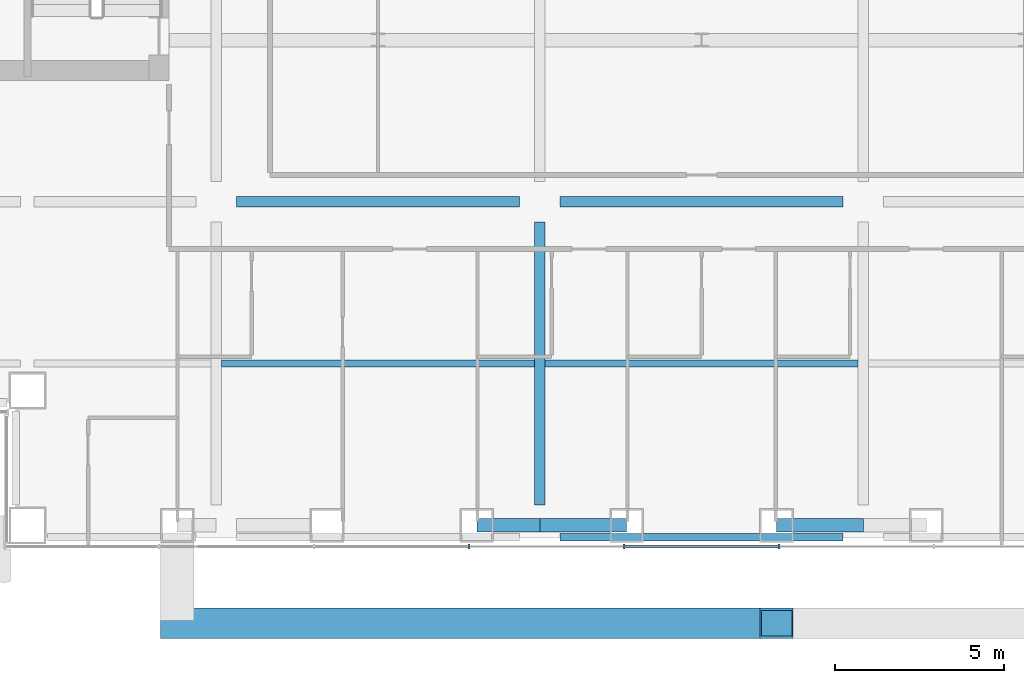
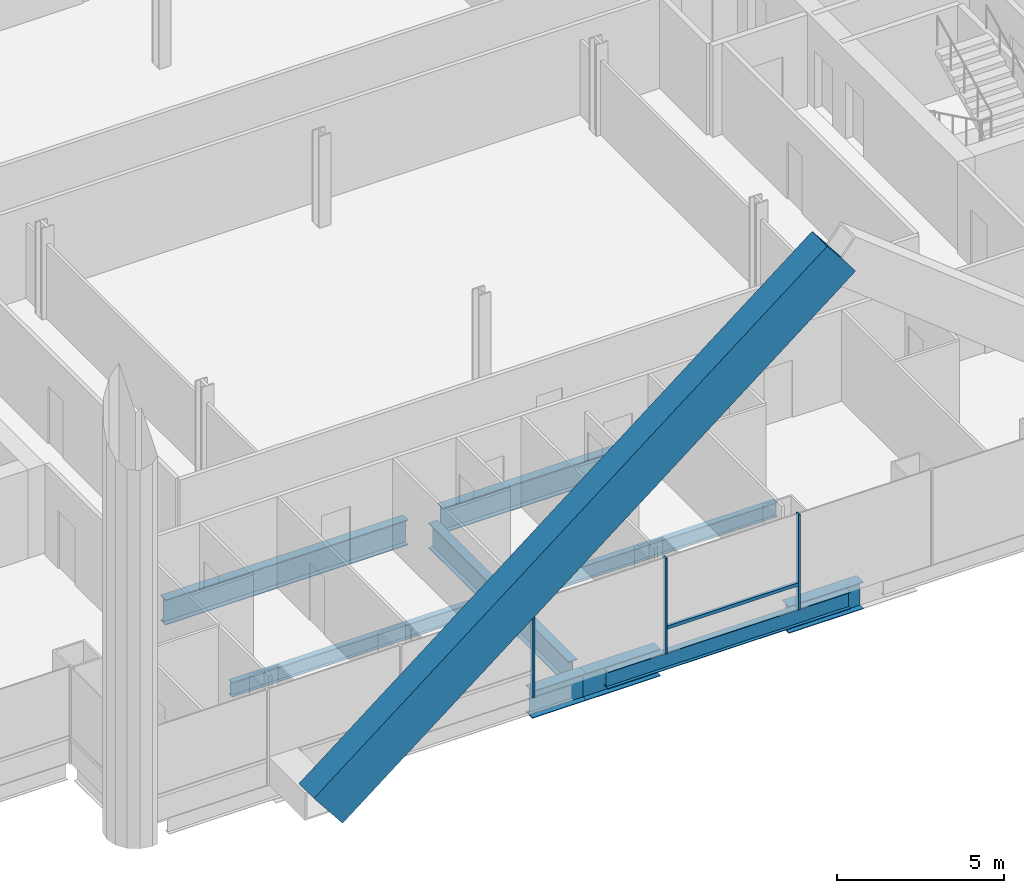
# One storey, part 3 of 28: 9 beams, 5 members, 1 element without a shape of its own.
"""IFC4 building model written with IfcOpenShell, lengths in metres."""

from ifc_helpers import new_model, si_unit, direction, frame, origin, origin_2d, place, context, subcontext, project, spatial, rectangle, hollow_rectangle, i_section, extrude, material, material_profile, profile_set, type_object, element, aggregate, save


model = new_model("IFC4")

# Units and contexts
model_context = context("Model", 3, precision=1e-05, world=origin(), true_north=direction((0.0, 1.0)))
body_context = subcontext(model_context, "Body", "Model", "MODEL_VIEW")
ifc_project = project(units=[si_unit("LENGTHUNIT", "METRE"), si_unit("AREAUNIT", "SQUARE_METRE"), si_unit("VOLUMEUNIT", "CUBIC_METRE"), si_unit("PLANEANGLEUNIT", "RADIAN"), si_unit("MASSUNIT", "GRAM", prefix="KILO")], contexts=[model_context])

# Site, building, storey
site_placement = place(None, origin())
site = spatial("IfcSite", under=ifc_project, at=site_placement, CompositionType="ELEMENT")
building_placement = place(site_placement, origin())
building = spatial("IfcBuilding", under=site, at=building_placement, Name="Cobrizo Arcos Hotel Tower", CompositionType="ELEMENT")
storey_placement = place(building_placement, frame((0.0, 0.0, 39.0)))
storey = spatial("IfcBuildingStorey", under=building, at=storey_placement, Name="L07", CompositionType="ELEMENT", Elevation=39.0)

# Member
ifc_material_1 = material(Name="Steel ASTM A572 Grade 50", Category="steel")
ifc_material_profile_1 = material_profile(ifc_material_1, hollow_rectangle(XDim=0.89990234375, YDim=1.60009765625, WallThickness=0.070068359375, at=origin_2d()), Name="BOX 900X1600X70")
ifc_profile_set_1 = profile_set([ifc_material_profile_1], Name="Steel ASTM A572 Grade 50")
member_type_1 = type_object("IfcMemberType", Name="BOX 900X1600X70 perimeter brace", PredefinedType="BRACE", material=ifc_profile_set_1)
member_1_placement = place(storey_placement, frame((-15.5556640625, -26.89990234375, 0.5), z_axis=(0.785637232407, 0.0, 0.618687432437), x_axis=(0.0, 1.0, 0.0)))
element("IfcMember", 1, at=member_1_placement, inside=storey, type_object=member_type_1, Name="Perimeter brace PBR1, zone Z1, south face, no. 00", PredefinedType="BRACE", context=body_context, shape_type="SweptSolid", body=[
    extrude(hollow_rectangle(XDim=0.89990234375, YDim=1.60009765625, WallThickness=0.070068359375, at=origin_2d()), origin(), (0.0, 0.0, 1.0), 22.628662109375),
])

# Curtain wall, members
ifc_material_2 = material(Name="Aluminium 6063-T6 anodised bronze", Category="aluminium")
curtain_wall_type = type_object("IfcCurtainWallType", Name="CW-A guest facade", PredefinedType="NOTDEFINED", material=ifc_material_2)
curtain_wall_placement = place(storey_placement, origin())
curtain_wall = element("IfcCurtainWall", 2, at=curtain_wall_placement, inside=storey, type_object=curtain_wall_type, Name="CW-A L07 S face", PredefinedType="NOTDEFINED")
ifc_material_profile_2 = material_profile(ifc_material_2, rectangle(XDim=0.14990234375, YDim=0.06005859375, at=origin_2d()), Name="CW-A mullion 150x60")
ifc_profile_set_2 = profile_set([ifc_material_profile_2], Name="Aluminium 6063-T6 anodised bronze")
member_type_2 = type_object("IfcMemberType", Name="CW-A mullion 150x60", PredefinedType="MULLION", material=ifc_profile_set_2)
member_2_placement = place(storey_placement, frame((-6.89990234375, -24.625, 0.0), z_axis=(0.0, 0.0, 1.0), x_axis=(0.0, -1.0, 0.0)))
member_2 = element("IfcMember", 3, at=member_2_placement, type_object=member_type_2, Name="CW-A mullion 4", PredefinedType="MULLION", context=body_context, shape_type="SweptSolid", body=[
    extrude(rectangle(XDim=0.14990234375, YDim=0.06005859375, at=origin_2d()), origin(), (0.0, 0.0, 1.0), 3.5),
])
member_3_placement = place(storey_placement, frame((-2.300048828125, -24.625, 0.0), z_axis=(0.0, 0.0, 1.0), x_axis=(0.0, -1.0, 0.0)))
member_3 = element("IfcMember", 4, at=member_3_placement, type_object=member_type_2, Name="CW-A mullion 5", PredefinedType="MULLION", context=body_context, shape_type="SweptSolid", body=[
    extrude(rectangle(XDim=0.14990234375, YDim=0.06005859375, at=origin_2d()), origin(), (0.0, 0.0, 1.0), 3.5),
])
member_4_placement = place(storey_placement, frame((2.300048828125, -24.625, 0.0), z_axis=(0.0, 0.0, 1.0), x_axis=(0.0, -1.0, 0.0)))
member_4 = element("IfcMember", 5, at=member_4_placement, type_object=member_type_2, Name="CW-A mullion 6", PredefinedType="MULLION", context=body_context, shape_type="SweptSolid", body=[
    extrude(rectangle(XDim=0.14990234375, YDim=0.06005859375, at=origin_2d()), origin(), (0.0, 0.0, 1.0), 3.5),
])
ifc_material_profile_3 = material_profile(ifc_material_2, rectangle(XDim=0.10009765625, YDim=0.1201171875, at=origin_2d()), Name="CW-A transom 120x100")
ifc_profile_set_3 = profile_set([ifc_material_profile_3], Name="Aluminium 6063-T6 anodised bronze")
member_type_3 = type_object("IfcMemberType", Name="CW-A transom 120x100", PredefinedType="USERDEFINED", material=ifc_profile_set_3)
member_5_placement = place(storey_placement, frame((-2.27001953125, -24.625, 0.929931640625), z_axis=(1.0, 0.0, 0.0), x_axis=(0.0, 1.0, 0.0)))
member_5 = element("IfcMember", 6, at=member_5_placement, type_object=member_type_3, Name="CW-A transom 365", ObjectType="TRANSOM", PredefinedType="USERDEFINED", context=body_context, shape_type="SweptSolid", body=[
    extrude(rectangle(XDim=0.10009765625, YDim=0.1201171875, at=origin_2d()), origin(), (0.0, 0.0, 1.0), 4.5400390625),
])
aggregate(curtain_wall, [member_2, member_3, member_4, member_5])

# Beams
ifc_material_3 = material(Name="Steel ASTM A992 Grade 50", Category="steel")
ifc_material_profile_4 = material_profile(ifc_material_3, i_section(OverallWidth=0.209228515625, OverallDepth=0.533447265625, WebThickness=0.01025390625, FlangeThickness=0.015625, at=origin_2d()), Name="W21X62")
ifc_profile_set_4 = profile_set([ifc_material_profile_4], Name="Steel ASTM A992 Grade 50")
beam_type_1 = type_object("IfcBeamType", Name="W21X62 joist", PredefinedType="JOIST", material=ifc_profile_set_4)
beam_1_placement = place(storey_placement, frame((-14.246337890625, -19.199951171875, -0.416748046875), z_axis=(1.0, 0.0, 0.0), x_axis=(0.0, 1.0, 0.0)))
element("IfcBeam", 7, at=beam_1_placement, inside=storey, type_object=beam_type_1, Name="Floor joist J1, L07, no. 003", PredefinedType="JOIST", context=body_context, shape_type="SweptSolid", body=[
    extrude(i_section(OverallWidth=0.209228515625, OverallDepth=0.533447265625, WebThickness=0.01025390625, FlangeThickness=0.015625, at=origin_2d()), origin(), (0.0, 0.0, 1.0), 9.292724609375),
])
beam_2_placement = place(storey_placement, frame((-4.646240234375, -19.199951171875, -0.416748046875), z_axis=(1.0, 0.0, 0.0), x_axis=(0.0, 1.0, 0.0)))
element("IfcBeam", 8, at=beam_2_placement, inside=storey, type_object=beam_type_1, Name="Floor joist J1, L07, no. 004", PredefinedType="JOIST", context=body_context, shape_type="SweptSolid", body=[
    extrude(i_section(OverallWidth=0.209228515625, OverallDepth=0.533447265625, WebThickness=0.01025390625, FlangeThickness=0.015625, at=origin_2d()), origin(), (0.0, 0.0, 1.0), 9.29248046875),
])
ifc_material_profile_5 = material_profile(ifc_material_3, i_section(OverallWidth=0.23046875, OverallDepth=0.6171875, WebThickness=0.01318359375, FlangeThickness=0.022216796875, at=origin_2d()), Name="W24X94")
ifc_profile_set_5 = profile_set([ifc_material_profile_5], Name="Steel ASTM A992 Grade 50")
beam_type_2 = type_object("IfcBeamType", Name="W24X94 spandrel", PredefinedType="SPANDREL", material=ifc_profile_set_5)
beam_3_placement = place(storey_placement, frame((4.199951171875, -24.35009765625, -0.45849609375), z_axis=(-1.0, 0.0, 0.0), x_axis=(0.0, -1.0, 0.0)))
element("IfcBeam", 9, at=beam_3_placement, inside=storey, type_object=beam_type_2, Name="Spandrel beam W24X94, L07, no. 020", PredefinedType="SPANDREL", context=body_context, shape_type="SweptSolid", body=[
    extrude(i_section(OverallWidth=0.23046875, OverallDepth=0.6171875, WebThickness=0.01318359375, FlangeThickness=0.022216796875, at=origin_2d()), origin(), (0.0, 0.0, 1.0), 8.39990234375),
])
ifc_material_profile_6 = material_profile(ifc_material_3, i_section(OverallWidth=0.307373046875, OverallDepth=0.927001953125, WebThickness=0.01953125, FlangeThickness=0.031982421875, at=origin_2d()), Name="W36X194")
ifc_profile_set_6 = profile_set([ifc_material_profile_6], Name="Steel ASTM A992 Grade 50")
beam_type_3 = type_object("IfcBeamType", Name="W36X194 podium girder", PredefinedType="BEAM", material=ifc_profile_set_6)
beam_4_placement = place(storey_placement, frame((-13.800048828125, -14.39990234375, -0.613525390625), z_axis=(1.0, 0.0, 0.0), x_axis=(0.0, 1.0, 0.0)))
element("IfcBeam", 10, at=beam_4_placement, inside=storey, type_object=beam_type_3, Name="Podium girder PG1, L07, no. 003", PredefinedType="BEAM", context=body_context, shape_type="SweptSolid", body=[
    extrude(i_section(OverallWidth=0.307373046875, OverallDepth=0.927001953125, WebThickness=0.01953125, FlangeThickness=0.031982421875, at=origin_2d()), origin(), (0.0, 0.0, 1.0), 8.400146484375),
])
for number, where, z_axis, x_axis, name in (
    (11, (-4.199951171875, -14.39990234375, -0.613525390625), (1.0, 0.0, 0.0), (0.0, 1.0, 0.0), "Podium girder PG1, L07, no. 004"),
    (12, (-4.800048828125, -23.39990234375, -0.613525390625), (0.0, 1.0, 0.0), (-1.0, 0.0, 0.0), "Podium girder PG1, L07, no. 028"),
):
    element("IfcBeam", number, at=place(storey_placement, frame(where, z_axis=z_axis, x_axis=x_axis)), inside=storey, type_object=beam_type_3, Name=name, PredefinedType="BEAM", context=body_context, shape_type="SweptSolid", body=[
        extrude(i_section(OverallWidth=0.307373046875, OverallDepth=0.927001953125, WebThickness=0.01953125, FlangeThickness=0.031982421875, at=origin_2d()), origin(), (0.0, 0.0, 1.0), 8.39990234375),
    ])
ifc_material_profile_7 = material_profile(ifc_material_3, i_section(OverallWidth=0.4013671875, OverallDepth=0.990478515625, WebThickness=0.0166015625, FlangeThickness=0.025390625, at=origin_2d()), Name="W40X215")
ifc_profile_set_7 = profile_set([ifc_material_profile_7], Name="Steel ASTM A992 Grade 50")
beam_type_4 = type_object("IfcBeamType", Name="W40X215 transfer girder", PredefinedType="BEAM", material=ifc_profile_set_7)
beam_5_placement = place(storey_placement, frame((-4.800048828125, -24.0, -0.645263671875), z_axis=(-1.0, 0.0, 0.0), x_axis=(0.0, -1.0, 0.0)))
element("IfcBeam", 13, at=beam_5_placement, inside=storey, type_object=beam_type_4, Name="Setback transfer girder TG1, L07, no. 006", PredefinedType="BEAM", context=body_context, shape_type="SweptSolid", body=[
    extrude(i_section(OverallWidth=0.4013671875, OverallDepth=0.990478515625, WebThickness=0.0166015625, FlangeThickness=0.025390625, at=origin_2d()), origin(), (0.0, 0.0, 1.0), 1.866943359375),
])
for number, where, z_axis, x_axis, name in (
    (14, (-4.800048828125, -24.0, -0.645263671875), (1.0, 0.0, 0.0), (0.0, 1.0, 0.0), "Setback transfer girder TG1, L07, no. 008"),
    (15, (4.800048828125, -24.0, -0.645263671875), (-1.0, 0.0, 0.0), (0.0, -1.0, 0.0), "Setback transfer girder TG1, L07, no. 010"),
):
    element("IfcBeam", number, at=place(storey_placement, frame(where, z_axis=z_axis, x_axis=x_axis)), inside=storey, type_object=beam_type_4, Name=name, PredefinedType="BEAM", context=body_context, shape_type="SweptSolid", body=[
        extrude(i_section(OverallWidth=0.4013671875, OverallDepth=0.990478515625, WebThickness=0.0166015625, FlangeThickness=0.025390625, at=origin_2d()), origin(), (0.0, 0.0, 1.0), 2.578125),
    ])

save(model, "model.ifc")
